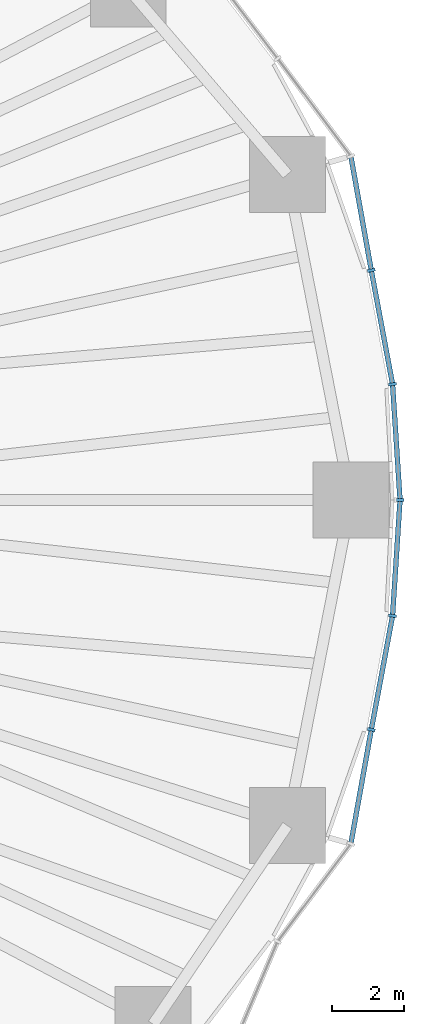
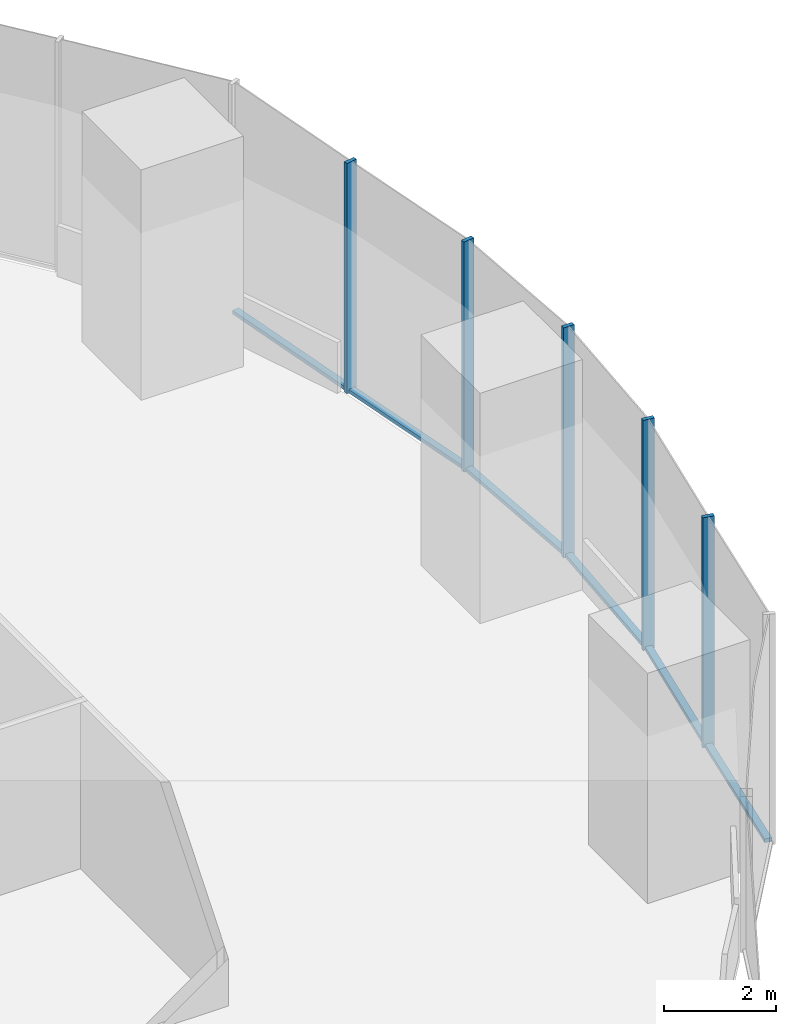
# One storey, part 7 of 20: 11 members, 2 elements without a shape of their own.
"""IFC4 building model written with IfcOpenShell, lengths in metres."""

import ifcopenshell
import ifcopenshell.guid

model = None  # the IFC model being written
_history = None  # IfcOwnerHistory: only IFC2X3 demands one
_inside = {}  # id of a spatial element -> (the spatial element, [elements in it])
_under = {}  # id of a project, library or spatial element -> (it, [spatial elements below it])
_declared = {}  # id of a project -> (the project, [libraries it declares])
_typed = {}  # id of a type object -> (the type object, [elements of that type])
_made_of = {}  # id of a material, layer set ... -> (it, [elements and type objects made of it])


def new_model(schema):
    """Start an empty IFC model of exactly this schema.

    Asked for "IFC4X3", IfcOpenShell would pick the latest addendum, in which some entities
    have other attributes; the version numbers below select the first issue.
    IFC2X3 requires an IfcOwnerHistory on every rooted entity: one is made here for all.
    """
    global model, _history
    if schema == "IFC4X3":
        model = ifcopenshell.file(schema_version=(4, 3, 0, 0))
    else:
        model = ifcopenshell.file(schema=schema)
    _inside.clear()
    _under.clear()
    _declared.clear()
    _typed.clear()
    _made_of.clear()
    _history = None
    if model.schema == "IFC2X3":
        org = make("IfcOrganization", Name="unknown")
        user = make(
            "IfcPersonAndOrganization",
            ThePerson=make("IfcPerson", FamilyName="unknown"),
            TheOrganization=org,
        )
        app = make(
            "IfcApplication",
            ApplicationDeveloper=org,
            Version="unknown",
            ApplicationFullName="unknown",
            ApplicationIdentifier="unknown",
        )
        _history = make(
            "IfcOwnerHistory",
            OwningUser=user,
            OwningApplication=app,
            ChangeAction="ADDED",
            CreationDate=0,
        )
    return model


def make(cls, **values):
    """One entity of the class cls with the attributes given. An attribute that is None is left unset."""
    return model.create_entity(
        cls, **{name: value for name, value in values.items() if value is not None}
    )


def rooted(cls, **values):
    """An entity with a GlobalId (a new one), such as an element, a storey or a relation."""
    return make(cls, GlobalId=ifcopenshell.guid.new(), OwnerHistory=_history, **values)


def si_unit(unit_type, name, prefix=None):
    """IfcSIUnit, for example si_unit("LENGTHUNIT", "METRE", prefix="MILLI")."""
    return make("IfcSIUnit", UnitType=unit_type, Prefix=prefix, Name=name)


def assignment(units):
    """IfcUnitAssignment: the units of a project."""
    return None if units is None else make("IfcUnitAssignment", Units=units)


def point(xyz):
    """IfcCartesianPoint."""
    return None if xyz is None else make("IfcCartesianPoint", Coordinates=xyz)


def direction(xyz):
    """IfcDirection."""
    return None if xyz is None else make("IfcDirection", DirectionRatios=xyz)


def frame(location, z_axis=None, x_axis=None):
    """IfcAxis2Placement3D, a coordinate frame: its origin and axes. An axis left out is left unset."""
    return make(
        "IfcAxis2Placement3D",
        Location=point(location),
        Axis=direction(z_axis),
        RefDirection=direction(x_axis),
    )


def frame_2d(location, x_axis=None):
    """IfcAxis2Placement2D, a coordinate frame in the plane: its origin and x axis."""
    return make(
        "IfcAxis2Placement2D", Location=point(location), RefDirection=direction(x_axis)
    )


def origin():
    """The frame at (0, 0, 0) with its axes left unset."""
    return frame((0.0, 0.0, 0.0))


def origin_2d():
    """The frame at (0, 0) in the plane with its x axis left unset."""
    return frame_2d((0.0, 0.0))


def place(relative_to, where):
    """IfcLocalPlacement: puts the frame where relative to a parent placement (None: the world)."""
    return make(
        "IfcLocalPlacement", PlacementRelTo=relative_to, RelativePlacement=where
    )


def context(
    kind, dimensions, precision=None, world=None, true_north=None, identifier=None
):
    """IfcGeometricRepresentationContext, for example the 3D "Model" context."""
    return make(
        "IfcGeometricRepresentationContext",
        ContextIdentifier=identifier,
        ContextType=kind,
        CoordinateSpaceDimension=dimensions,
        Precision=precision,
        WorldCoordinateSystem=world,
        TrueNorth=true_north,
    )


def subcontext(parent, identifier, kind, view, scale=None):
    """IfcGeometricRepresentationSubContext, for example "Body" below "Model"."""
    return make(
        "IfcGeometricRepresentationSubContext",
        ContextIdentifier=identifier,
        ContextType=kind,
        ParentContext=parent,
        TargetScale=scale,
        TargetView=view,
    )


def project(units=None, contexts=None):
    """IfcProject with its units and contexts."""
    return rooted(
        "IfcProject",
        Name="project",
        RepresentationContexts=contexts,
        UnitsInContext=assignment(units),
    )


def spatial(cls, under=None, at=None, **own):
    """A site, building, storey or space (cls), placed at a placement, below another one or the project."""
    s = rooted(cls, ObjectPlacement=at, **own)
    if under is not None:
        _under.setdefault(under.id(), (under, []))[1].append(s)
    return s


def profile(cls, at=None, kind="AREA", **sizes):
    """A parametric profile (cls). Its sizes go by their IFC names, for example OverallWidth=200.0."""
    return make(cls, ProfileType=kind, Position=at, **sizes)


def rectangle(**sizes):
    """IfcRectangleProfileDef."""
    return profile("IfcRectangleProfileDef", **sizes)


def extrude(swept, where, along, depth):
    """IfcExtrudedAreaSolid: the profile swept, set in the frame where, extruded along a direction by depth."""
    return make(
        "IfcExtrudedAreaSolid",
        SweptArea=swept,
        Position=where,
        ExtrudedDirection=direction(along),
        Depth=depth,
    )


def shape(context_of_items, identifier, shape_type, items):
    """IfcShapeRepresentation: the items that make up one representation, for example the "Body"."""
    return make(
        "IfcShapeRepresentation",
        ContextOfItems=context_of_items,
        RepresentationIdentifier=identifier,
        RepresentationType=shape_type,
        Items=items,
    )


def material(Name=None, Category=None):
    """IfcMaterial."""
    return make("IfcMaterial", Name=Name, Category=Category)


def material_profile(
    of_material, cross_section, Name=None, Category=None, Priority=None
):
    """IfcMaterialProfile: a cross section and its material."""
    return make(
        "IfcMaterialProfile",
        Name=Name,
        Material=of_material,
        Profile=cross_section,
        Priority=Priority,
        Category=Category,
    )


def profile_set(profiles, Name=None, composite=None):
    """IfcMaterialProfileSet."""
    return make(
        "IfcMaterialProfileSet",
        Name=Name,
        MaterialProfiles=profiles,
        CompositeProfile=composite,
    )


def made_of(thing, what):
    """Note that an element or type object is made of a material, layer set ...; save() writes the relation."""
    if what is not None:
        _made_of.setdefault(what.id(), (what, []))[1].append(thing)
    return thing


def type_object(cls, material=None, **own):
    """A type object (cls), such as IfcWallType, which elements share."""
    return made_of(rooted(cls, **own), material)


def element(
    cls,
    number,
    at=None,
    inside=None,
    cuts=None,
    type_object=None,
    material=None,
    context=None,
    identifier="Body",
    shape_type=None,
    held_by="IfcProductDefinitionShape",
    body=None,
    shapes=None,
    **own,
):
    """One element of the class cls, such as IfcWall. Its Tag is "e" and its number.

    at: its placement. inside: the storey or other place that contains it. cuts: it is an
    opening in that element (IfcRelVoidsElement). A single representation is given by context,
    identifier, shape_type and body (its items); several are given by shapes. held_by: the class
    of the entity that holds the representations. save() writes the other relations.
    """
    e = rooted(cls, Tag="e%d" % number, ObjectPlacement=at, **own)
    if body is not None:
        shapes = [shape(context, identifier, shape_type, body)]
    if shapes is not None:
        e.Representation = make(held_by, Representations=shapes)
    if inside is not None:
        _inside.setdefault(inside.id(), (inside, []))[1].append(e)
    if cuts is not None:
        rooted(
            "IfcRelVoidsElement", RelatingBuildingElement=cuts, RelatedOpeningElement=e
        )
    if type_object is not None:
        _typed.setdefault(type_object.id(), (type_object, []))[1].append(e)
    return made_of(e, material)


def aggregate(whole, parts):
    """IfcRelAggregates: a whole, such as a stair, and the parts it consists of."""
    return rooted("IfcRelAggregates", RelatingObject=whole, RelatedObjects=parts)


def save(model, path):
    """Write the relations noted so far, then the file.

    IfcRelAggregates (storeys below a building ...), IfcRelContainedInSpatialStructure (elements
    in a storey), IfcRelDefinesByType, IfcRelAssociatesMaterial and IfcRelDeclares: one each for
    every whole, place, type object, material and project.
    """
    for whole, parts in _under.values():
        aggregate(whole, parts)
    for where, things in _inside.values():
        rooted(
            "IfcRelContainedInSpatialStructure",
            RelatedElements=things,
            RelatingStructure=where,
        )
    for kind, things in _typed.values():
        rooted("IfcRelDefinesByType", RelatedObjects=things, RelatingType=kind)
    for what, things in _made_of.values():
        rooted("IfcRelAssociatesMaterial", RelatedObjects=things, RelatingMaterial=what)
    for by, libraries in _declared.values():
        rooted("IfcRelDeclares", RelatingContext=by, RelatedDefinitions=libraries)
    model.write(path)


model = new_model("IFC4")

# Units and contexts
model_context = context("Model", 3, precision=1e-05, world=origin(), true_north=direction((0.0, 1.0)))
body_context = subcontext(model_context, "Body", "Model", "MODEL_VIEW")
ifc_project = project(units=[si_unit("LENGTHUNIT", "METRE"), si_unit("AREAUNIT", "SQUARE_METRE"), si_unit("VOLUMEUNIT", "CUBIC_METRE"), si_unit("PLANEANGLEUNIT", "RADIAN"), si_unit("MASSUNIT", "GRAM", prefix="KILO")], contexts=[model_context])

# Site, building, storey
site_placement = place(None, origin())
site = spatial("IfcSite", under=ifc_project, at=site_placement, CompositionType="ELEMENT")
building_placement = place(site_placement, origin())
building = spatial("IfcBuilding", under=site, at=building_placement, Name="Ghaith Harvest Tower", CompositionType="ELEMENT")
storey_placement = place(building_placement, frame((0.0, 0.0, 20.0)))
storey = spatial("IfcBuildingStorey", under=building, at=storey_placement, Name="L04", CompositionType="ELEMENT", Elevation=20.0)

# Curtain wall, members
ifc_material_1 = material(Name="Black anodised aluminium and fritted glass", Category="aluminium")
curtain_wall_type = type_object("IfcCurtainWallType", Name="CW-F CURTAIN WALL", PredefinedType="NOTDEFINED", material=ifc_material_1)
curtain_wall_1_placement = place(storey_placement, origin())
curtain_wall_1 = element("IfcCurtainWall", 1, at=curtain_wall_1_placement, inside=storey, type_object=curtain_wall_type, Name="Curtain wall CW-F bay 01 L04", PredefinedType="NOTDEFINED")
ifc_material_2 = material(Name="Aluminium, black anodised", Category="aluminium")
ifc_material_profile_1 = material_profile(ifc_material_2, rectangle(XDim=0.080078125, YDim=0.219970703125, at=origin_2d()), Name="CW-F MULLION 80x220")
ifc_profile_set_1 = profile_set([ifc_material_profile_1], Name="Aluminium, black anodised")
member_type_1 = type_object("IfcMemberType", Name="CW-F MULLION 80x220", PredefinedType="MULLION", material=ifc_profile_set_1)
member_1_placement = place(storey_placement, frame((34.284912109375, 0.0, 0.0), z_axis=(0.0, 0.0, 1.0), x_axis=(1.05e-10, 1.0, 0.0)))
member_1 = element("IfcMember", 2, at=member_1_placement, type_object=member_type_1, Name="CW-F mullion 1 bay 01 L04", PredefinedType="MULLION", context=body_context, shape_type="SweptSolid", body=[
    extrude(rectangle(XDim=0.080078125, YDim=0.219970703125, at=origin_2d()), origin(), (0.0, 0.0, 1.0), 5.0),
])
member_2_placement = place(storey_placement, frame((34.077880859375, 3.205322265625, 0.0), z_axis=(0.0, 0.0, 1.0), x_axis=(-0.12416951168, 0.992261020281, 0.0)))
member_2 = element("IfcMember", 3, at=member_2_placement, type_object=member_type_1, Name="CW-F mullion 2 bay 01 L04", PredefinedType="MULLION", context=body_context, shape_type="SweptSolid", body=[
    extrude(rectangle(XDim=0.080078125, YDim=0.219970703125, at=origin_2d()), origin(), (0.0, 0.0, 1.0), 5.0),
])
member_3_placement = place(storey_placement, frame((33.489501953125, 6.3564453125, 0.0), z_axis=(0.0, 0.0, 1.0), x_axis=(-0.179943325455, 0.98367697931, 0.0)))
member_3 = element("IfcMember", 4, at=member_3_placement, type_object=member_type_1, Name="CW-F mullion 3 bay 01 L04", PredefinedType="MULLION", context=body_context, shape_type="SweptSolid", body=[
    extrude(rectangle(XDim=0.080078125, YDim=0.219970703125, at=origin_2d()), origin(), (0.0, 0.0, 1.0), 5.0),
])

curtain_wall_2_placement = place(storey_placement, origin())
curtain_wall_2 = element("IfcCurtainWall", 5, at=curtain_wall_2_placement, inside=storey, type_object=curtain_wall_type, Name="Curtain wall CW-F bay 20 L04", PredefinedType="NOTDEFINED")
member_4_placement = place(storey_placement, frame((33.489501953125, -6.3564453125, 0.0), z_axis=(0.0, 0.0, 1.0), x_axis=(0.17994332573, 0.98367697926, 0.0)))
member_4 = element("IfcMember", 6, at=member_4_placement, type_object=member_type_1, Name="CW-F mullion 2 bay 20 L04", PredefinedType="MULLION", context=body_context, shape_type="SweptSolid", body=[
    extrude(rectangle(XDim=0.080078125, YDim=0.219970703125, at=origin_2d()), origin(), (0.0, 0.0, 1.0), 5.0),
])
member_5_placement = place(storey_placement, frame((34.077880859375, -3.205322265625, 0.0), z_axis=(0.0, 0.0, 1.0), x_axis=(0.124169511819, 0.992261020264, 0.0)))
member_5 = element("IfcMember", 7, at=member_5_placement, type_object=member_type_1, Name="CW-F mullion 3 bay 20 L04", PredefinedType="MULLION", context=body_context, shape_type="SweptSolid", body=[
    extrude(rectangle(XDim=0.080078125, YDim=0.219970703125, at=origin_2d()), origin(), (0.0, 0.0, 1.0), 5.0),
])

# Member
ifc_material_3 = material(Name="Aluminium, black anodised", Category="aluminium")
ifc_material_profile_2 = material_profile(ifc_material_3, rectangle(XDim=0.139892578125, YDim=0.080078125, at=origin_2d()), Name="CW-F TRANSOM 140x80")
ifc_profile_set_2 = profile_set([ifc_material_profile_2], Name="Aluminium, black anodised")
member_type_2 = type_object("IfcMemberType", Name="CW-F TRANSOM 140x80", PredefinedType="USERDEFINED", material=ifc_profile_set_2)
member_6_placement = place(storey_placement, frame((34.282470703125, 0.039794921875, 0.0400390625), z_axis=(-0.064459898973, 0.997920298132, 0.0), x_axis=(-0.997920298132, -0.064459898973, 0.0)))
member_6 = element("IfcMember", 8, at=member_6_placement, type_object=member_type_2, Name="CW-F transom 1 bay 01 L04", ObjectType="TRANSOM", PredefinedType="USERDEFINED", context=body_context, shape_type="SweptSolid", body=[
    extrude(rectangle(XDim=0.139892578125, YDim=0.080078125, at=origin_2d()), origin(), (0.0, 0.0, 1.0), 3.13232421875),
])

member_7_placement = place(storey_placement, frame((34.070556640625, 3.24462890625, 0.0400390625), z_axis=(-0.183557496381, 0.983008975301, 0.0), x_axis=(-0.983008975301, -0.183557496381, 0.0)))
member_7 = element("IfcMember", 9, at=member_7_placement, type_object=member_type_2, Name="CW-F transom 2 bay 01 L04", ObjectType="TRANSOM", PredefinedType="USERDEFINED", context=body_context, shape_type="SweptSolid", body=[
    extrude(rectangle(XDim=0.139892578125, YDim=0.080078125, at=origin_2d()), origin(), (0.0, 0.0, 1.0), 3.125732421875),
])

member_8_placement = place(storey_placement, frame((33.482421875, 6.395751953125, 0.0400390625), z_axis=(-0.176303612865, 0.984335835013, 0.0), x_axis=(-0.984335835013, -0.176303612865, 0.0)))
member_8 = element("IfcMember", 10, at=member_8_placement, type_object=member_type_2, Name="CW-F transom 3 bay 01 L04", ObjectType="TRANSOM", PredefinedType="USERDEFINED", context=body_context, shape_type="SweptSolid", body=[
    extrude(rectangle(XDim=0.139892578125, YDim=0.080078125, at=origin_2d()), origin(), (0.0, 0.0, 1.0), 3.129638671875),
])

aggregate(curtain_wall_1, [member_1, member_6, member_2, member_7, member_3, member_8])

member_9_placement = place(storey_placement, frame((32.9306640625, -9.476318359375, 0.0400390625), z_axis=(0.176303612865, 0.984335835013, 0.0), x_axis=(-0.984335835013, 0.176303612865, 0.0)))
member_9 = element("IfcMember", 11, at=member_9_placement, type_object=member_type_2, Name="CW-F transom 1 bay 20 L04", ObjectType="TRANSOM", PredefinedType="USERDEFINED", context=body_context, shape_type="SweptSolid", body=[
    extrude(rectangle(XDim=0.139892578125, YDim=0.080078125, at=origin_2d()), origin(), (0.0, 0.0, 1.0), 3.129638671875),
])

member_10_placement = place(storey_placement, frame((33.496826171875, -6.317138671875, 0.0400390625), z_axis=(0.183557496381, 0.983008975301, 0.0), x_axis=(-0.983008975301, 0.183557496381, 0.0)))
member_10 = element("IfcMember", 12, at=member_10_placement, type_object=member_type_2, Name="CW-F transom 2 bay 20 L04", ObjectType="TRANSOM", PredefinedType="USERDEFINED", context=body_context, shape_type="SweptSolid", body=[
    extrude(rectangle(XDim=0.139892578125, YDim=0.080078125, at=origin_2d()), origin(), (0.0, 0.0, 1.0), 3.125732421875),
])

member_11_placement = place(storey_placement, frame((34.08056640625, -3.16552734375, 0.0400390625), z_axis=(0.064459898973, 0.997920298132, 0.0), x_axis=(-0.997920298132, 0.064459898973, 0.0)))
member_11 = element("IfcMember", 13, at=member_11_placement, type_object=member_type_2, Name="CW-F transom 3 bay 20 L04", ObjectType="TRANSOM", PredefinedType="USERDEFINED", context=body_context, shape_type="SweptSolid", body=[
    extrude(rectangle(XDim=0.139892578125, YDim=0.080078125, at=origin_2d()), origin(), (0.0, 0.0, 1.0), 3.13232421875),
])

aggregate(curtain_wall_2, [member_9, member_4, member_10, member_5, member_11])

save(model, "model.ifc")
